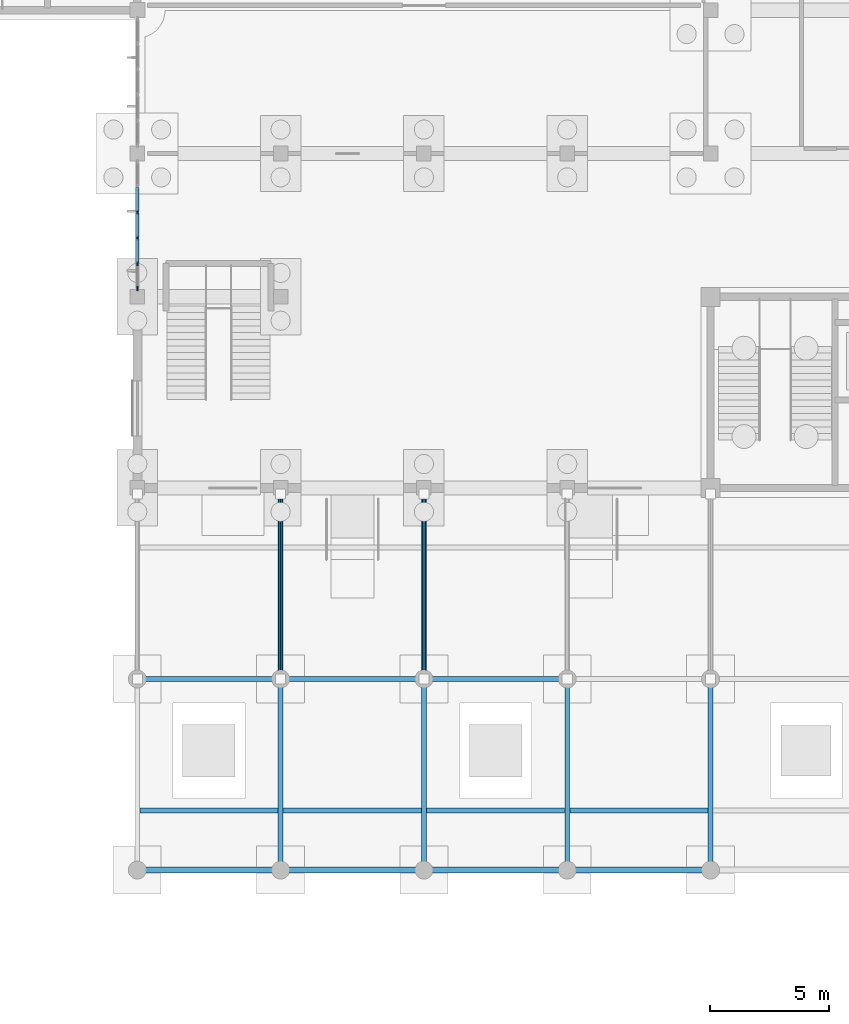
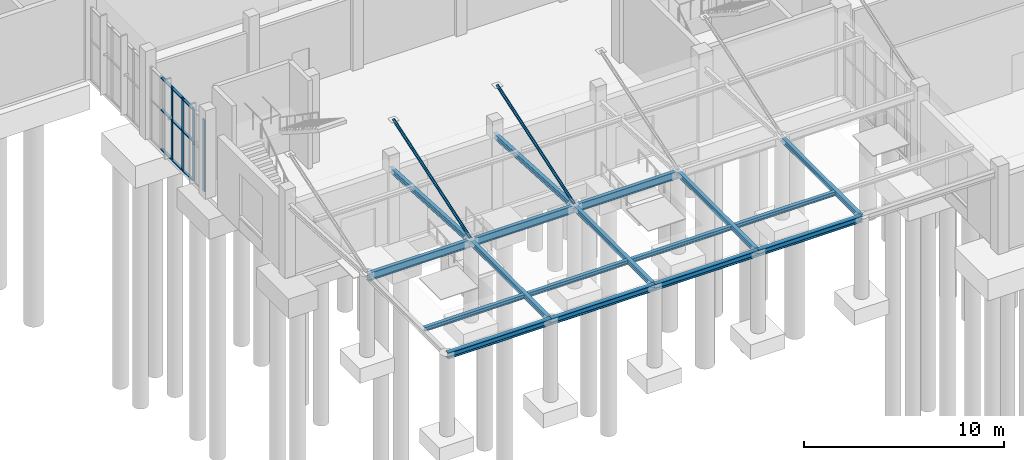
# One storey, part 7 of 69: 17 beams, 15 members, 1 element without a shape of its own.
"""IFC4 building model written with IfcOpenShell, lengths in metres."""

import ifcopenshell
import ifcopenshell.guid

model = None  # the IFC model being written
_history = None  # IfcOwnerHistory: only IFC2X3 demands one
_inside = {}  # id of a spatial element -> (the spatial element, [elements in it])
_under = {}  # id of a project, library or spatial element -> (it, [spatial elements below it])
_declared = {}  # id of a project -> (the project, [libraries it declares])
_typed = {}  # id of a type object -> (the type object, [elements of that type])
_made_of = {}  # id of a material, layer set ... -> (it, [elements and type objects made of it])


def new_model(schema):
    """Start an empty IFC model of exactly this schema.

    Asked for "IFC4X3", IfcOpenShell would pick the latest addendum, in which some entities
    have other attributes; the version numbers below select the first issue.
    IFC2X3 requires an IfcOwnerHistory on every rooted entity: one is made here for all.
    """
    global model, _history
    if schema == "IFC4X3":
        model = ifcopenshell.file(schema_version=(4, 3, 0, 0))
    else:
        model = ifcopenshell.file(schema=schema)
    _inside.clear()
    _under.clear()
    _declared.clear()
    _typed.clear()
    _made_of.clear()
    _history = None
    if model.schema == "IFC2X3":
        org = make("IfcOrganization", Name="unknown")
        user = make(
            "IfcPersonAndOrganization",
            ThePerson=make("IfcPerson", FamilyName="unknown"),
            TheOrganization=org,
        )
        app = make(
            "IfcApplication",
            ApplicationDeveloper=org,
            Version="unknown",
            ApplicationFullName="unknown",
            ApplicationIdentifier="unknown",
        )
        _history = make(
            "IfcOwnerHistory",
            OwningUser=user,
            OwningApplication=app,
            ChangeAction="ADDED",
            CreationDate=0,
        )
    return model


def make(cls, **values):
    """One entity of the class cls with the attributes given. An attribute that is None is left unset."""
    return model.create_entity(
        cls, **{name: value for name, value in values.items() if value is not None}
    )


def rooted(cls, **values):
    """An entity with a GlobalId (a new one), such as an element, a storey or a relation."""
    return make(cls, GlobalId=ifcopenshell.guid.new(), OwnerHistory=_history, **values)


def si_unit(unit_type, name, prefix=None):
    """IfcSIUnit, for example si_unit("LENGTHUNIT", "METRE", prefix="MILLI")."""
    return make("IfcSIUnit", UnitType=unit_type, Prefix=prefix, Name=name)


def assignment(units):
    """IfcUnitAssignment: the units of a project."""
    return None if units is None else make("IfcUnitAssignment", Units=units)


def point(xyz):
    """IfcCartesianPoint."""
    return None if xyz is None else make("IfcCartesianPoint", Coordinates=xyz)


def direction(xyz):
    """IfcDirection."""
    return None if xyz is None else make("IfcDirection", DirectionRatios=xyz)


def frame(location, z_axis=None, x_axis=None):
    """IfcAxis2Placement3D, a coordinate frame: its origin and axes. An axis left out is left unset."""
    return make(
        "IfcAxis2Placement3D",
        Location=point(location),
        Axis=direction(z_axis),
        RefDirection=direction(x_axis),
    )


def frame_2d(location, x_axis=None):
    """IfcAxis2Placement2D, a coordinate frame in the plane: its origin and x axis."""
    return make(
        "IfcAxis2Placement2D", Location=point(location), RefDirection=direction(x_axis)
    )


def origin():
    """The frame at (0, 0, 0) with its axes left unset."""
    return frame((0.0, 0.0, 0.0))


def origin_2d():
    """The frame at (0, 0) in the plane with its x axis left unset."""
    return frame_2d((0.0, 0.0))


def place(relative_to, where):
    """IfcLocalPlacement: puts the frame where relative to a parent placement (None: the world)."""
    return make(
        "IfcLocalPlacement", PlacementRelTo=relative_to, RelativePlacement=where
    )


def context(
    kind, dimensions, precision=None, world=None, true_north=None, identifier=None
):
    """IfcGeometricRepresentationContext, for example the 3D "Model" context."""
    return make(
        "IfcGeometricRepresentationContext",
        ContextIdentifier=identifier,
        ContextType=kind,
        CoordinateSpaceDimension=dimensions,
        Precision=precision,
        WorldCoordinateSystem=world,
        TrueNorth=true_north,
    )


def subcontext(parent, identifier, kind, view, scale=None):
    """IfcGeometricRepresentationSubContext, for example "Body" below "Model"."""
    return make(
        "IfcGeometricRepresentationSubContext",
        ContextIdentifier=identifier,
        ContextType=kind,
        ParentContext=parent,
        TargetScale=scale,
        TargetView=view,
    )


def project(units=None, contexts=None):
    """IfcProject with its units and contexts."""
    return rooted(
        "IfcProject",
        Name="project",
        RepresentationContexts=contexts,
        UnitsInContext=assignment(units),
    )


def spatial(cls, under=None, at=None, **own):
    """A site, building, storey or space (cls), placed at a placement, below another one or the project."""
    s = rooted(cls, ObjectPlacement=at, **own)
    if under is not None:
        _under.setdefault(under.id(), (under, []))[1].append(s)
    return s


def profile(cls, at=None, kind="AREA", **sizes):
    """A parametric profile (cls). Its sizes go by their IFC names, for example OverallWidth=200.0."""
    return make(cls, ProfileType=kind, Position=at, **sizes)


def rectangle(**sizes):
    """IfcRectangleProfileDef."""
    return profile("IfcRectangleProfileDef", **sizes)


def hollow_circle(**sizes):
    """IfcCircleHollowProfileDef."""
    return profile("IfcCircleHollowProfileDef", **sizes)


def i_section(**sizes):
    """IfcIShapeProfileDef."""
    return profile("IfcIShapeProfileDef", **sizes)


def extrude(swept, where, along, depth):
    """IfcExtrudedAreaSolid: the profile swept, set in the frame where, extruded along a direction by depth."""
    return make(
        "IfcExtrudedAreaSolid",
        SweptArea=swept,
        Position=where,
        ExtrudedDirection=direction(along),
        Depth=depth,
    )


def shape(context_of_items, identifier, shape_type, items):
    """IfcShapeRepresentation: the items that make up one representation, for example the "Body"."""
    return make(
        "IfcShapeRepresentation",
        ContextOfItems=context_of_items,
        RepresentationIdentifier=identifier,
        RepresentationType=shape_type,
        Items=items,
    )


def material(Name=None, Category=None):
    """IfcMaterial."""
    return make("IfcMaterial", Name=Name, Category=Category)


def layer(
    of_material, thickness, ventilated=None, Name=None, Category=None, Priority=None
):
    """IfcMaterialLayer: one layer of a wall or slab, of a material (None: an air gap)."""
    return make(
        "IfcMaterialLayer",
        Material=of_material,
        LayerThickness=thickness,
        IsVentilated=ventilated,
        Name=Name,
        Category=Category,
        Priority=Priority,
    )


def layer_set(layers, Name=None):
    """IfcMaterialLayerSet."""
    return make("IfcMaterialLayerSet", MaterialLayers=layers, LayerSetName=Name)


def material_profile(
    of_material, cross_section, Name=None, Category=None, Priority=None
):
    """IfcMaterialProfile: a cross section and its material."""
    return make(
        "IfcMaterialProfile",
        Name=Name,
        Material=of_material,
        Profile=cross_section,
        Priority=Priority,
        Category=Category,
    )


def profile_set(profiles, Name=None, composite=None):
    """IfcMaterialProfileSet."""
    return make(
        "IfcMaterialProfileSet",
        Name=Name,
        MaterialProfiles=profiles,
        CompositeProfile=composite,
    )


def made_of(thing, what):
    """Note that an element or type object is made of a material, layer set ...; save() writes the relation."""
    if what is not None:
        _made_of.setdefault(what.id(), (what, []))[1].append(thing)
    return thing


def type_object(cls, material=None, **own):
    """A type object (cls), such as IfcWallType, which elements share."""
    return made_of(rooted(cls, **own), material)


def element(
    cls,
    number,
    at=None,
    inside=None,
    cuts=None,
    type_object=None,
    material=None,
    context=None,
    identifier="Body",
    shape_type=None,
    held_by="IfcProductDefinitionShape",
    body=None,
    shapes=None,
    **own,
):
    """One element of the class cls, such as IfcWall. Its Tag is "e" and its number.

    at: its placement. inside: the storey or other place that contains it. cuts: it is an
    opening in that element (IfcRelVoidsElement). A single representation is given by context,
    identifier, shape_type and body (its items); several are given by shapes. held_by: the class
    of the entity that holds the representations. save() writes the other relations.
    """
    e = rooted(cls, Tag="e%d" % number, ObjectPlacement=at, **own)
    if body is not None:
        shapes = [shape(context, identifier, shape_type, body)]
    if shapes is not None:
        e.Representation = make(held_by, Representations=shapes)
    if inside is not None:
        _inside.setdefault(inside.id(), (inside, []))[1].append(e)
    if cuts is not None:
        rooted(
            "IfcRelVoidsElement", RelatingBuildingElement=cuts, RelatedOpeningElement=e
        )
    if type_object is not None:
        _typed.setdefault(type_object.id(), (type_object, []))[1].append(e)
    return made_of(e, material)


def aggregate(whole, parts):
    """IfcRelAggregates: a whole, such as a stair, and the parts it consists of."""
    return rooted("IfcRelAggregates", RelatingObject=whole, RelatedObjects=parts)


def save(model, path):
    """Write the relations noted so far, then the file.

    IfcRelAggregates (storeys below a building ...), IfcRelContainedInSpatialStructure (elements
    in a storey), IfcRelDefinesByType, IfcRelAssociatesMaterial and IfcRelDeclares: one each for
    every whole, place, type object, material and project.
    """
    for whole, parts in _under.values():
        aggregate(whole, parts)
    for where, things in _inside.values():
        rooted(
            "IfcRelContainedInSpatialStructure",
            RelatedElements=things,
            RelatingStructure=where,
        )
    for kind, things in _typed.values():
        rooted("IfcRelDefinesByType", RelatedObjects=things, RelatingType=kind)
    for what, things in _made_of.values():
        rooted("IfcRelAssociatesMaterial", RelatedObjects=things, RelatingMaterial=what)
    for by, libraries in _declared.values():
        rooted("IfcRelDeclares", RelatingContext=by, RelatedDefinitions=libraries)
    model.write(path)


model = new_model("IFC4")

# Units and contexts
model_context = context("Model", 3, precision=1e-05, world=origin(), true_north=direction((0.0, 1.0)))
body_context = subcontext(model_context, "Body", "Model", "MODEL_VIEW")
ifc_project = project(units=[si_unit("LENGTHUNIT", "METRE"), si_unit("AREAUNIT", "SQUARE_METRE"), si_unit("VOLUMEUNIT", "CUBIC_METRE"), si_unit("PLANEANGLEUNIT", "RADIAN"), si_unit("MASSUNIT", "GRAM", prefix="KILO")], contexts=[model_context])

# Site, building, storey
site_placement = place(None, origin())
site = spatial("IfcSite", under=ifc_project, at=site_placement, CompositionType="ELEMENT")
building_placement = place(site_placement, origin())
building = spatial("IfcBuilding", under=site, at=building_placement, Name="Solvane Community Centre", CompositionType="ELEMENT")
storey_placement = place(building_placement, origin())
storey = spatial("IfcBuildingStorey", under=building, at=storey_placement, Name="L00", CompositionType="ELEMENT", Elevation=0.0)

# Curtain wall, members
ifc_material_1 = material(Name="Anodised bronze aluminium AW-6063 T6", Category="aluminium")
ifc_layer = layer(ifc_material_1, 0.18994140625)
ifc_layer_set = layer_set([ifc_layer], Name="Anodised bronze aluminium AW-6063 T6")
curtain_wall_type = type_object("IfcCurtainWallType", Name="Boulevard Bronze Vision Curtain Wall [54x44dm]", PredefinedType="NOTDEFINED", material=ifc_layer_set)
curtain_wall_placement = place(storey_placement, origin())
curtain_wall = element("IfcCurtainWall", 1, at=curtain_wall_placement, inside=storey, type_object=curtain_wall_type, Name="Curtain Wall CW-L00-360_303-003", PredefinedType="NOTDEFINED")
ifc_material_profile_1 = material_profile(ifc_material_1, rectangle(XDim=0.06005859375, YDim=0.18994140625, at=origin_2d()), Name="CW-M 60x190")
ifc_profile_set_1 = profile_set([ifc_material_profile_1], Name="Anodised bronze aluminium AW-6063 T6")
member_type_1 = type_object("IfcMemberType", Name="Boulevard Mullion 60x190", PredefinedType="MULLION", material=ifc_profile_set_1)
member_1_placement = place(storey_placement, frame((36.0, 30.35009765625, 0.0), z_axis=(0.0, 0.0, 1.0), x_axis=(-1.0, 0.0, 0.0)))
member_1 = element("IfcMember", 2, at=member_1_placement, type_object=member_type_1, Name="CW02-54x44 mullion 1", PredefinedType="MULLION", context=body_context, shape_type="SweptSolid", body=[
    extrude(rectangle(XDim=0.06005859375, YDim=0.18994140625, at=origin_2d()), origin(), (0.0, 0.0, 1.0), 4.425048828125),
])
member_2_placement = place(storey_placement, frame((36.0, 31.39208984375, 0.0), z_axis=(0.0, 0.0, 1.0), x_axis=(-1.0, 0.0, 0.0)))
member_2 = element("IfcMember", 3, at=member_2_placement, type_object=member_type_1, Name="CW02-54x44 mullion 2", PredefinedType="MULLION", context=body_context, shape_type="SweptSolid", body=[
    extrude(rectangle(XDim=0.06005859375, YDim=0.18994140625, at=origin_2d()), origin(), (0.0, 0.0, 1.0), 4.425048828125),
])
member_3_placement = place(storey_placement, frame((36.0, 32.464111328125, 0.0), z_axis=(0.0, 0.0, 1.0), x_axis=(-1.0, 0.0, 0.0)))
member_3 = element("IfcMember", 4, at=member_3_placement, type_object=member_type_1, Name="CW02-54x44 mullion 3", PredefinedType="MULLION", context=body_context, shape_type="SweptSolid", body=[
    extrude(rectangle(XDim=0.06005859375, YDim=0.18994140625, at=origin_2d()), origin(), (0.0, 0.0, 1.0), 4.425048828125),
])
member_4_placement = place(storey_placement, frame((36.0, 33.535888671875, 0.0), z_axis=(0.0, 0.0, 1.0), x_axis=(-1.0, 0.0, 0.0)))
member_4 = element("IfcMember", 5, at=member_4_placement, type_object=member_type_1, Name="CW02-54x44 mullion 4", PredefinedType="MULLION", context=body_context, shape_type="SweptSolid", body=[
    extrude(rectangle(XDim=0.06005859375, YDim=0.18994140625, at=origin_2d()), origin(), (0.0, 0.0, 1.0), 4.425048828125),
])
ifc_material_profile_2 = material_profile(ifc_material_1, rectangle(XDim=0.14990234375, YDim=0.06005859375, at=origin_2d()), Name="CW-T 60x150")
ifc_profile_set_2 = profile_set([ifc_material_profile_2], Name="Anodised bronze aluminium AW-6063 T6")
member_type_2 = type_object("IfcMemberType", Name="Boulevard Transom 60x150", PredefinedType="USERDEFINED", material=ifc_profile_set_2)
member_5_placement = place(storey_placement, frame((36.0, 31.422119140625, 0.030029296875), z_axis=(0.0, 1.0, 0.0), x_axis=(-1.0, 0.0, 0.0)))
member_5 = element("IfcMember", 6, at=member_5_placement, type_object=member_type_2, Name="CW02-54x44 transom 2.1", ObjectType="TRANSOM", PredefinedType="USERDEFINED", context=body_context, shape_type="SweptSolid", body=[
    extrude(rectangle(XDim=0.14990234375, YDim=0.06005859375, at=origin_2d()), origin(), (0.0, 0.0, 1.0), 1.011962890625),
])
member_6_placement = place(storey_placement, frame((36.0, 31.422119140625, 2.43408203125), z_axis=(0.0, 1.0, 0.0), x_axis=(-1.0, 0.0, 0.0)))
member_6 = element("IfcMember", 7, at=member_6_placement, type_object=member_type_2, Name="CW02-54x44 transom 2.2", ObjectType="TRANSOM", PredefinedType="USERDEFINED", context=body_context, shape_type="SweptSolid", body=[
    extrude(rectangle(XDim=0.14990234375, YDim=0.06005859375, at=origin_2d()), origin(), (0.0, 0.0, 1.0), 1.011962890625),
])
member_7_placement = place(storey_placement, frame((36.0, 31.422119140625, 4.39501953125), z_axis=(0.0, 1.0, 0.0), x_axis=(-1.0, 0.0, 0.0)))
member_7 = element("IfcMember", 8, at=member_7_placement, type_object=member_type_2, Name="CW02-54x44 transom 2.3", ObjectType="TRANSOM", PredefinedType="USERDEFINED", context=body_context, shape_type="SweptSolid", body=[
    extrude(rectangle(XDim=0.14990234375, YDim=0.06005859375, at=origin_2d()), origin(), (0.0, 0.0, 1.0), 1.011962890625),
])
member_8_placement = place(storey_placement, frame((36.0, 32.493896484375, 0.030029296875), z_axis=(0.0, 1.0, 0.0), x_axis=(-1.0, 0.0, 0.0)))
member_8 = element("IfcMember", 9, at=member_8_placement, type_object=member_type_2, Name="CW02-54x44 transom 3.1", ObjectType="TRANSOM", PredefinedType="USERDEFINED", context=body_context, shape_type="SweptSolid", body=[
    extrude(rectangle(XDim=0.14990234375, YDim=0.06005859375, at=origin_2d()), origin(), (0.0, 0.0, 1.0), 1.01220703125),
])
member_9_placement = place(storey_placement, frame((36.0, 32.493896484375, 2.43408203125), z_axis=(0.0, 1.0, 0.0), x_axis=(-1.0, 0.0, 0.0)))
member_9 = element("IfcMember", 10, at=member_9_placement, type_object=member_type_2, Name="CW02-54x44 transom 3.2", ObjectType="TRANSOM", PredefinedType="USERDEFINED", context=body_context, shape_type="SweptSolid", body=[
    extrude(rectangle(XDim=0.14990234375, YDim=0.06005859375, at=origin_2d()), origin(), (0.0, 0.0, 1.0), 1.01220703125),
])
member_10_placement = place(storey_placement, frame((36.0, 32.493896484375, 4.39501953125), z_axis=(0.0, 1.0, 0.0), x_axis=(-1.0, 0.0, 0.0)))
member_10 = element("IfcMember", 11, at=member_10_placement, type_object=member_type_2, Name="CW02-54x44 transom 3.3", ObjectType="TRANSOM", PredefinedType="USERDEFINED", context=body_context, shape_type="SweptSolid", body=[
    extrude(rectangle(XDim=0.14990234375, YDim=0.06005859375, at=origin_2d()), origin(), (0.0, 0.0, 1.0), 1.01220703125),
])
member_11_placement = place(storey_placement, frame((36.0, 33.56591796875, 0.030029296875), z_axis=(0.0, 1.0, 0.0), x_axis=(-1.0, 0.0, 0.0)))
member_11 = element("IfcMember", 12, at=member_11_placement, type_object=member_type_2, Name="CW02-54x44 transom 4.1", ObjectType="TRANSOM", PredefinedType="USERDEFINED", context=body_context, shape_type="SweptSolid", body=[
    extrude(rectangle(XDim=0.14990234375, YDim=0.06005859375, at=origin_2d()), origin(), (0.0, 0.0, 1.0), 1.011962890625),
])
member_12_placement = place(storey_placement, frame((36.0, 33.56591796875, 2.43408203125), z_axis=(0.0, 1.0, 0.0), x_axis=(-1.0, 0.0, 0.0)))
member_12 = element("IfcMember", 13, at=member_12_placement, type_object=member_type_2, Name="CW02-54x44 transom 4.2", ObjectType="TRANSOM", PredefinedType="USERDEFINED", context=body_context, shape_type="SweptSolid", body=[
    extrude(rectangle(XDim=0.14990234375, YDim=0.06005859375, at=origin_2d()), origin(), (0.0, 0.0, 1.0), 1.011962890625),
])
member_13_placement = place(storey_placement, frame((36.0, 33.56591796875, 4.39501953125), z_axis=(0.0, 1.0, 0.0), x_axis=(-1.0, 0.0, 0.0)))
member_13 = element("IfcMember", 14, at=member_13_placement, type_object=member_type_2, Name="CW02-54x44 transom 4.3", ObjectType="TRANSOM", PredefinedType="USERDEFINED", context=body_context, shape_type="SweptSolid", body=[
    extrude(rectangle(XDim=0.14990234375, YDim=0.06005859375, at=origin_2d()), origin(), (0.0, 0.0, 1.0), 1.011962890625),
])
aggregate(curtain_wall, [member_1, member_2, member_3, member_4, member_5, member_6, member_7, member_8, member_9, member_10, member_11, member_12, member_13])

# Members
ifc_material_2 = material(Name="Steel ASTM A572 Grade 50", Category="steel")
ifc_material_profile_3 = material_profile(ifc_material_2, hollow_circle(Radius=0.084228515625, WallThickness=0.010009765625, at=origin_2d()), Name="CHS 168.3x10.0")
ifc_profile_set_3 = profile_set([ifc_material_profile_3], Name="Steel ASTM A572 Grade 50")
member_type_3 = type_object("IfcMemberType", Name="Canopy Hanger Strut CHS168", PredefinedType="STRUT", material=ifc_profile_set_3)
for number, where, z_axis, x_axis, name in (
    (15, (42.0, 21.75, 7.5), (0.0, -0.948802787052, -0.315869073008), (1.0, 0.0, 0.0), "Member MEM-L00-0391"),
    (16, (48.0, 21.75, 7.5), (0.0, -0.948802787052, -0.315869073008), (1.0, 0.0, 0.0), "Member MEM-L00-0392"),
):
    element("IfcMember", number, at=place(storey_placement, frame(where, z_axis=z_axis, x_axis=x_axis)), inside=storey, type_object=member_type_3, Name=name, PredefinedType="STRUT", context=body_context, shape_type="SweptSolid", body=[
        extrude(hollow_circle(Radius=0.084228515625, WallThickness=0.010009765625, at=origin_2d()), origin(), (0.0, 0.0, 1.0), 8.168212890625),
    ])

# Beams
ifc_material_profile_4 = material_profile(ifc_material_2, i_section(OverallWidth=0.205078125, OverallDepth=0.31005859375, WebThickness=0.009521484375, FlangeThickness=0.016357421875, FilletRadius=0.012939453125, at=origin_2d()), Name="W310x74")
ifc_profile_set_4 = profile_set([ifc_material_profile_4], Name="Steel ASTM A572 Grade 50")
beam_type_1 = type_object("IfcBeamType", Name="Steel Canopy Beam W310x74", PredefinedType="BEAM", material=ifc_profile_set_4)
beam_1_placement = place(storey_placement, frame((42.0, 6.0, 4.764892578125), z_axis=(0.0, 1.0, 0.0), x_axis=(-1.0, 0.0, 0.0)))
element("IfcBeam", 17, at=beam_1_placement, inside=storey, type_object=beam_type_1, Name="Beam BM-L00-420_60-420_140", PredefinedType="BEAM", context=body_context, shape_type="SweptSolid", body=[
    extrude(i_section(OverallWidth=0.205078125, OverallDepth=0.31005859375, WebThickness=0.009521484375, FlangeThickness=0.016357421875, FilletRadius=0.012939453125, at=origin_2d()), origin(), (0.0, 0.0, 1.0), 8.0),
])
beam_2_placement = place(storey_placement, frame((42.0, 14.0, 4.764892578125), z_axis=(0.0, 0.998491323842, -0.054909709642), x_axis=(-1.0, 0.0, 0.0)))
element("IfcBeam", 18, at=beam_2_placement, inside=storey, type_object=beam_type_1, Name="Beam BM-L00-420_140-420_220", PredefinedType="BEAM", context=body_context, shape_type="SweptSolid", body=[
    extrude(i_section(OverallWidth=0.205078125, OverallDepth=0.31005859375, WebThickness=0.009521484375, FlangeThickness=0.016357421875, FilletRadius=0.012939453125, at=origin_2d()), origin(), (0.0, 0.0, 1.0), 8.01220703125),
])
beam_3_placement = place(storey_placement, frame((48.0, 6.0, 4.764892578125), z_axis=(0.0, 1.0, 0.0), x_axis=(-1.0, 0.0, 0.0)))
element("IfcBeam", 19, at=beam_3_placement, inside=storey, type_object=beam_type_1, Name="Beam BM-L00-480_60-480_140", PredefinedType="BEAM", context=body_context, shape_type="SweptSolid", body=[
    extrude(i_section(OverallWidth=0.205078125, OverallDepth=0.31005859375, WebThickness=0.009521484375, FlangeThickness=0.016357421875, FilletRadius=0.012939453125, at=origin_2d()), origin(), (0.0, 0.0, 1.0), 8.0),
])
beam_4_placement = place(storey_placement, frame((48.0, 14.0, 4.764892578125), z_axis=(0.0, 0.998491323842, -0.054909709642), x_axis=(-1.0, 0.0, 0.0)))
element("IfcBeam", 20, at=beam_4_placement, inside=storey, type_object=beam_type_1, Name="Beam BM-L00-480_140-480_220", PredefinedType="BEAM", context=body_context, shape_type="SweptSolid", body=[
    extrude(i_section(OverallWidth=0.205078125, OverallDepth=0.31005859375, WebThickness=0.009521484375, FlangeThickness=0.016357421875, FilletRadius=0.012939453125, at=origin_2d()), origin(), (0.0, 0.0, 1.0), 8.01220703125),
])
for number, where, z_axis, x_axis, name in (
    (21, (54.0, 6.0, 4.764892578125), (0.0, 1.0, 0.0), (-1.0, 0.0, 0.0), "Beam BM-L00-540_60-540_140"),
    (22, (60.0, 6.0, 4.764892578125), (0.0, 1.0, 0.0), (-1.0, 0.0, 0.0), "Beam BM-L00-600_60-600_140"),
):
    element("IfcBeam", number, at=place(storey_placement, frame(where, z_axis=z_axis, x_axis=x_axis)), inside=storey, type_object=beam_type_1, Name=name, PredefinedType="BEAM", context=body_context, shape_type="SweptSolid", body=[
        extrude(i_section(OverallWidth=0.205078125, OverallDepth=0.31005859375, WebThickness=0.009521484375, FlangeThickness=0.016357421875, FilletRadius=0.012939453125, at=origin_2d()), origin(), (0.0, 0.0, 1.0), 8.0),
    ])
ifc_material_profile_5 = material_profile(ifc_material_2, i_section(OverallWidth=0.194091796875, OverallDepth=0.468994140625, WebThickness=0.014404296875, FlangeThickness=0.0205078125, FilletRadius=0.012939453125, at=origin_2d()), Name="W460x106")
ifc_profile_set_5 = profile_set([ifc_material_profile_5], Name="Steel ASTM A572 Grade 50")
beam_type_2 = type_object("IfcBeamType", Name="Steel Canopy Girder W460x106", PredefinedType="USERDEFINED", material=ifc_profile_set_5)
for number, where, z_axis, x_axis, name in (
    (23, (36.0, 14.0, 4.685546875), (1.0, 0.0, 0.0), (0.0, 1.0, 0.0), "Beam BM-L00-360_140-420_140"),
    (24, (42.0, 14.0, 4.685546875), (1.0, 0.0, 0.0), (0.0, 1.0, 0.0), "Beam BM-L00-420_140-480_140"),
    (25, (48.0, 14.0, 4.685546875), (1.0, 0.0, 0.0), (0.0, 1.0, 0.0), "Beam BM-L00-480_140-540_140"),
):
    element("IfcBeam", number, at=place(storey_placement, frame(where, z_axis=z_axis, x_axis=x_axis)), inside=storey, type_object=beam_type_2, Name=name, ObjectType="GIRDER", PredefinedType="USERDEFINED", context=body_context, shape_type="SweptSolid", body=[
        extrude(i_section(OverallWidth=0.194091796875, OverallDepth=0.468994140625, WebThickness=0.014404296875, FlangeThickness=0.0205078125, FilletRadius=0.012939453125, at=origin_2d()), origin(), (0.0, 0.0, 1.0), 6.0),
    ])
ifc_material_profile_6 = material_profile(ifc_material_2, i_section(OverallWidth=0.202880859375, OverallDepth=0.251953125, WebThickness=0.008056640625, FlangeThickness=0.013427734375, FilletRadius=0.012939453125, at=origin_2d()), Name="W250x58")
ifc_profile_set_6 = profile_set([ifc_material_profile_6], Name="Steel ASTM A572 Grade 50")
beam_type_3 = type_object("IfcBeamType", Name="Steel Canopy Joist W250x58", PredefinedType="JOIST", material=ifc_profile_set_6)
for number, where, z_axis, x_axis, name in (
    (26, (36.110107421875, 8.5, 4.7939453125), (1.0, 0.0, 0.0), (0.0, 1.0, 0.0), "Beam BM-L00-361_85-419_85"),
    (27, (42.110107421875, 8.5, 4.7939453125), (1.0, 0.0, 0.0), (0.0, 1.0, 0.0), "Beam BM-L00-421_85-479_85"),
    (28, (48.110107421875, 8.5, 4.7939453125), (1.0, 0.0, 0.0), (0.0, 1.0, 0.0), "Beam BM-L00-481_85-539_85"),
    (29, (54.110107421875, 8.5, 4.7939453125), (1.0, 0.0, 0.0), (0.0, 1.0, 0.0), "Beam BM-L00-541_85-599_85"),
):
    element("IfcBeam", number, at=place(storey_placement, frame(where, z_axis=z_axis, x_axis=x_axis)), inside=storey, type_object=beam_type_3, Name=name, PredefinedType="JOIST", context=body_context, shape_type="SweptSolid", body=[
        extrude(i_section(OverallWidth=0.202880859375, OverallDepth=0.251953125, WebThickness=0.008056640625, FlangeThickness=0.013427734375, FilletRadius=0.012939453125, at=origin_2d()), origin(), (0.0, 0.0, 1.0), 5.77978515625),
    ])
ifc_material_profile_7 = material_profile(ifc_material_2, i_section(OverallWidth=0.257080078125, OverallDepth=0.363037109375, WebThickness=0.012939453125, FlangeThickness=0.021728515625, FilletRadius=0.014892578125, at=origin_2d()), Name="W360x122")
ifc_profile_set_7 = profile_set([ifc_material_profile_7], Name="Steel ASTM A572 Grade 50")
beam_type_4 = type_object("IfcBeamType", Name="Steel Edge Spandrel W360x122", PredefinedType="SPANDREL", material=ifc_profile_set_7)
for number, where, z_axis, x_axis, name in (
    (30, (36.0, 6.0, 4.738525390625), (1.0, 0.0, 0.0), (0.0, 1.0, 0.0), "Beam BM-L00-360_60-420_60"),
    (31, (42.0, 6.0, 4.738525390625), (1.0, 0.0, 0.0), (0.0, 1.0, 0.0), "Beam BM-L00-420_60-480_60"),
    (32, (48.0, 6.0, 4.738525390625), (1.0, 0.0, 0.0), (0.0, 1.0, 0.0), "Beam BM-L00-480_60-540_60"),
    (33, (54.0, 6.0, 4.738525390625), (1.0, 0.0, 0.0), (0.0, 1.0, 0.0), "Beam BM-L00-540_60-600_60"),
):
    element("IfcBeam", number, at=place(storey_placement, frame(where, z_axis=z_axis, x_axis=x_axis)), inside=storey, type_object=beam_type_4, Name=name, PredefinedType="SPANDREL", context=body_context, shape_type="SweptSolid", body=[
        extrude(i_section(OverallWidth=0.257080078125, OverallDepth=0.363037109375, WebThickness=0.012939453125, FlangeThickness=0.021728515625, FilletRadius=0.014892578125, at=origin_2d()), origin(), (0.0, 0.0, 1.0), 6.0),
    ])

save(model, "model.ifc")
